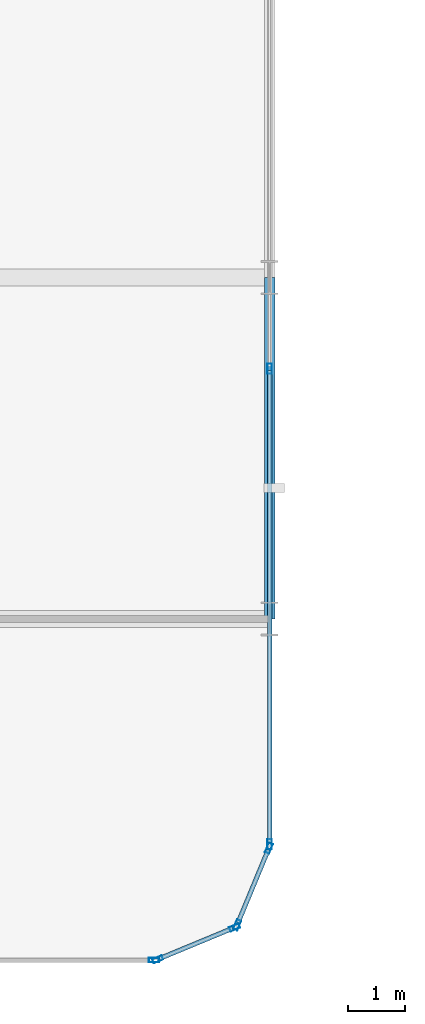
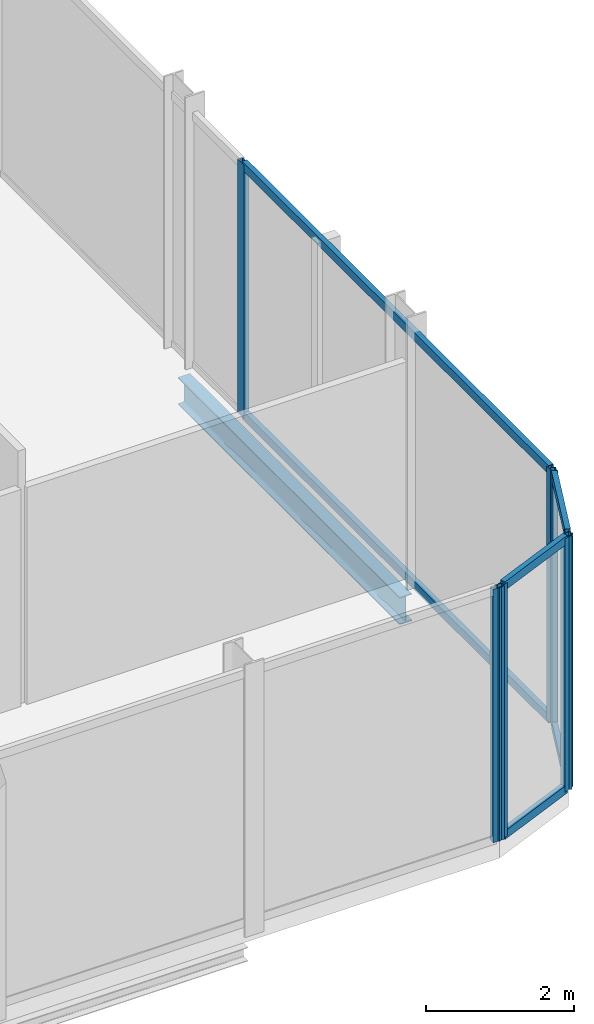
# One storey, part 10 of 31: 13 members, 1 beam, 4 elements without a shape of their own.
"""IFC4 building model written with IfcOpenShell, lengths in metres."""

from ifc_helpers import new_model, si_unit, direction, frame, origin, origin_2d, place, context, subcontext, project, spatial, hollow_rectangle, i_section, extrude, material, layer, layer_set, material_profile, profile_set, type_object, element, aggregate, save


model = new_model("IFC4")

# Units and contexts
model_context = context("Model", 3, precision=1e-05, world=origin(), true_north=direction((0.0, 1.0)))
body_context = subcontext(model_context, "Body", "Model", "MODEL_VIEW")
ifc_project = project(units=[si_unit("LENGTHUNIT", "METRE"), si_unit("AREAUNIT", "SQUARE_METRE"), si_unit("VOLUMEUNIT", "CUBIC_METRE"), si_unit("PLANEANGLEUNIT", "RADIAN"), si_unit("MASSUNIT", "GRAM", prefix="KILO")], contexts=[model_context])

# Site, building, storey
site_placement = place(None, origin())
site = spatial("IfcSite", under=ifc_project, at=site_placement, CompositionType="ELEMENT")
building_placement = place(site_placement, origin())
building = spatial("IfcBuilding", under=site, at=building_placement, Name="Keshet Zoharim Tower", CompositionType="ELEMENT")
storey_placement = place(building_placement, frame((0.0, 0.0, 125.300048828125)))
storey = spatial("IfcBuildingStorey", under=building, at=storey_placement, Name="L30", CompositionType="ELEMENT", Elevation=125.300048828125)

# Beam
ifc_material_1 = material(Name="Steel S355", Category="steel")
ifc_material_profile_1 = material_profile(ifc_material_1, i_section(OverallWidth=0.18994140625, OverallDepth=0.449951171875, WebThickness=0.009521484375, FlangeThickness=0.0146484375, FilletRadius=0.02099609375, at=origin_2d()), Name="IPE450")
ifc_profile_set_1 = profile_set([ifc_material_profile_1], Name="Steel S355")
beam_type = type_object("IfcBeamType", Name="BM-PRI-IP450", PredefinedType="BEAM", material=ifc_profile_set_1)
beam_placement = place(storey_placement, frame((57.0, 6.699951171875, -0.545166015625), z_axis=(0.0, 1.0, 0.0), x_axis=(-1.0, 0.0, 0.0)))
element("IfcBeam", 1, at=beam_placement, inside=storey, type_object=beam_type, Name="L30 Primary Girder Y-013", PredefinedType="BEAM", context=body_context, shape_type="SweptSolid", body=[
    extrude(i_section(OverallWidth=0.18994140625, OverallDepth=0.449951171875, WebThickness=0.009521484375, FlangeThickness=0.0146484375, FilletRadius=0.02099609375, at=origin_2d()), origin(), (0.0, 0.0, 1.0), 6.0),
])

# Curtain wall, members
ifc_material_2 = material(Name="Aluminium 6063-T6", Category="aluminium")
ifc_layer = layer(ifc_material_2, 0.14990234375)
ifc_layer_set = layer_set([ifc_layer], Name="Aluminium 6063-T6")
curtain_wall_type = type_object("IfcCurtainWallType", Name="CW-SYS-04", PredefinedType="NOTDEFINED", material=ifc_layer_set)
curtain_wall_1_placement = place(storey_placement, origin())
curtain_wall_1 = element("IfcCurtainWall", 2, at=curtain_wall_1_placement, inside=storey, type_object=curtain_wall_type, Name="L30 Unitised Curtain Wall 06", PredefinedType="NOTDEFINED")
ifc_material_profile_2 = material_profile(ifc_material_2, hollow_rectangle(XDim=0.080078125, YDim=0.179931640625, WallThickness=0.00439453125, at=origin_2d()), Name="MUL-80x180")
ifc_profile_set_2 = profile_set([ifc_material_profile_2], Name="Aluminium 6063-T6")
member_type_1 = type_object("IfcMemberType", Name="CWM-M18", PredefinedType="MULLION", material=ifc_profile_set_2)
member_1_placement = place(storey_placement, frame((57.0, 11.10009765625, 0.0), z_axis=(0.0, 0.0, 1.0), x_axis=(1.0, 0.0, 0.0)))
member_1 = element("IfcMember", 3, at=member_1_placement, type_object=member_type_1, Name="CW-04 mullion 3", PredefinedType="MULLION", context=body_context, shape_type="SweptSolid", body=[
    extrude(hollow_rectangle(XDim=0.080078125, YDim=0.179931640625, WallThickness=0.00439453125, at=origin_2d()), origin(), (0.0, 0.0, 1.0), 4.18505859375),
])
member_2_placement = place(storey_placement, frame((57.0, 2.735107421875, 0.0), z_axis=(0.0, 0.0, 1.0), x_axis=(1.0, 0.0, 0.0)))
member_2 = element("IfcMember", 4, at=member_2_placement, type_object=member_type_1, Name="CW-04 mullion 4", PredefinedType="MULLION", context=body_context, shape_type="SweptSolid", body=[
    extrude(hollow_rectangle(XDim=0.080078125, YDim=0.179931640625, WallThickness=0.00439453125, at=origin_2d()), origin(), (0.0, 0.0, 1.0), 4.18505859375),
])

curtain_wall_2_placement = place(storey_placement, origin())
curtain_wall_2 = element("IfcCurtainWall", 5, at=curtain_wall_2_placement, inside=storey, type_object=curtain_wall_type, Name="L30 Unitised Curtain Wall 07", PredefinedType="NOTDEFINED")
member_3_placement = place(storey_placement, frame((56.986572265625, 2.667724609375, 0.0), z_axis=(0.0, 0.0, 1.0), x_axis=(0.92380975372, -0.382851849847, 0.0)))
member_3 = element("IfcMember", 6, at=member_3_placement, type_object=member_type_1, Name="CW-04 mullion 1", PredefinedType="MULLION", context=body_context, shape_type="SweptSolid", body=[
    extrude(hollow_rectangle(XDim=0.080078125, YDim=0.179931640625, WallThickness=0.00439453125, at=origin_2d()), origin(), (0.0, 0.0, 1.0), 4.18505859375),
])
member_4_placement = place(storey_placement, frame((56.427490234375, 1.318359375, 0.0), z_axis=(0.0, 0.0, 1.0), x_axis=(0.92380975372, -0.382851849847, 0.0)))
member_4 = element("IfcMember", 7, at=member_4_placement, type_object=member_type_1, Name="CW-04 mullion 2", PredefinedType="MULLION", context=body_context, shape_type="SweptSolid", body=[
    extrude(hollow_rectangle(XDim=0.080078125, YDim=0.179931640625, WallThickness=0.00439453125, at=origin_2d()), origin(), (0.0, 0.0, 1.0), 4.18505859375),
])

curtain_wall_3_placement = place(storey_placement, origin())
curtain_wall_3 = element("IfcCurtainWall", 8, at=curtain_wall_3_placement, inside=storey, type_object=curtain_wall_type, Name="L30 Unitised Curtain Wall 08", PredefinedType="NOTDEFINED")
member_5_placement = place(storey_placement, frame((56.381591796875, 1.272705078125, 0.0), z_axis=(0.0, 0.0, 1.0), x_axis=(0.382851849847, -0.92380975372, 0.0)))
member_5 = element("IfcMember", 9, at=member_5_placement, type_object=member_type_1, Name="CW-04 mullion 1", PredefinedType="MULLION", context=body_context, shape_type="SweptSolid", body=[
    extrude(hollow_rectangle(XDim=0.080078125, YDim=0.179931640625, WallThickness=0.00439453125, at=origin_2d()), origin(), (0.0, 0.0, 1.0), 4.18505859375),
])
member_6_placement = place(storey_placement, frame((55.0322265625, 0.71337890625, 0.0), z_axis=(0.0, 0.0, 1.0), x_axis=(0.382851849847, -0.92380975372, 0.0)))
member_6 = element("IfcMember", 10, at=member_6_placement, type_object=member_type_1, Name="CW-04 mullion 2", PredefinedType="MULLION", context=body_context, shape_type="SweptSolid", body=[
    extrude(hollow_rectangle(XDim=0.080078125, YDim=0.179931640625, WallThickness=0.00439453125, at=origin_2d()), origin(), (0.0, 0.0, 1.0), 4.18505859375),
])

# Curtain wall, member
curtain_wall_4_placement = place(storey_placement, origin())
curtain_wall_4 = element("IfcCurtainWall", 11, at=curtain_wall_4_placement, inside=storey, type_object=curtain_wall_type, Name="L30 Unitised Curtain Wall 09", PredefinedType="NOTDEFINED")
member_7_placement = place(storey_placement, frame((54.965087890625, 0.699951171875, 0.0), z_axis=(0.0, 0.0, 1.0), x_axis=(0.0, -1.0, 0.0)))
member_7 = element("IfcMember", 12, at=member_7_placement, type_object=member_type_1, Name="CW-04 mullion 1", PredefinedType="MULLION", context=body_context, shape_type="SweptSolid", body=[
    extrude(hollow_rectangle(XDim=0.080078125, YDim=0.179931640625, WallThickness=0.00439453125, at=origin_2d()), origin(), (0.0, 0.0, 1.0), 4.18505859375),
])
aggregate(curtain_wall_4, [member_7])

# Member
ifc_material_profile_3 = material_profile(ifc_material_2, hollow_rectangle(XDim=0.080078125, YDim=0.139892578125, WallThickness=0.00390625, at=origin_2d()), Name="TRN-80x140")
ifc_profile_set_3 = profile_set([ifc_material_profile_3], Name="Aluminium 6063-T6")
member_type_2 = type_object("IfcMemberType", Name="CWT-T14", PredefinedType="USERDEFINED", material=ifc_profile_set_3)
member_8_placement = place(storey_placement, frame((57.0, 11.06494140625, 0.034912109375), z_axis=(0.0, -1.0, 0.0), x_axis=(1.0, 0.0, 0.0)))
member_8 = element("IfcMember", 13, at=member_8_placement, type_object=member_type_2, Name="CW-04 transom 3.1", ObjectType="TRANSOM", PredefinedType="USERDEFINED", context=body_context, shape_type="SweptSolid", body=[
    extrude(hollow_rectangle(XDim=0.080078125, YDim=0.139892578125, WallThickness=0.00390625, at=origin_2d()), origin(), (0.0, 0.0, 1.0), 8.294921875),
])

member_9_placement = place(storey_placement, frame((57.0, 11.06494140625, 4.14990234375), z_axis=(0.0, -1.0, 0.0), x_axis=(1.0, 0.0, 0.0)))
member_9 = element("IfcMember", 14, at=member_9_placement, type_object=member_type_2, Name="CW-04 transom 3.2", ObjectType="TRANSOM", PredefinedType="USERDEFINED", context=body_context, shape_type="SweptSolid", body=[
    extrude(hollow_rectangle(XDim=0.080078125, YDim=0.139892578125, WallThickness=0.00390625, at=origin_2d()), origin(), (0.0, 0.0, 1.0), 8.294921875),
])

aggregate(curtain_wall_1, [member_1, member_2, member_8, member_9])

member_10_placement = place(storey_placement, frame((56.97314453125, 2.63525390625, 0.034912109375), z_axis=(-0.382744609247, -0.923854189844, 0.0), x_axis=(0.923854189844, -0.382744609247, 0.0)))
member_10 = element("IfcMember", 15, at=member_10_placement, type_object=member_type_2, Name="CW-04 transom 1.1", ObjectType="TRANSOM", PredefinedType="USERDEFINED", context=body_context, shape_type="SweptSolid", body=[
    extrude(hollow_rectangle(XDim=0.080078125, YDim=0.139892578125, WallThickness=0.00390625, at=origin_2d()), origin(), (0.0, 0.0, 1.0), 1.390625),
])

member_11_placement = place(storey_placement, frame((56.97314453125, 2.63525390625, 4.14990234375), z_axis=(-0.382744609247, -0.923854189844, 0.0), x_axis=(0.923854189844, -0.382744609247, 0.0)))
member_11 = element("IfcMember", 16, at=member_11_placement, type_object=member_type_2, Name="CW-04 transom 1.2", ObjectType="TRANSOM", PredefinedType="USERDEFINED", context=body_context, shape_type="SweptSolid", body=[
    extrude(hollow_rectangle(XDim=0.080078125, YDim=0.139892578125, WallThickness=0.00390625, at=origin_2d()), origin(), (0.0, 0.0, 1.0), 1.390625),
])

aggregate(curtain_wall_2, [member_3, member_4, member_10, member_11])

member_12_placement = place(storey_placement, frame((56.349365234375, 1.25927734375, 0.034912109375), z_axis=(-0.92379209995, -0.382894445076, 0.0), x_axis=(0.382894445076, -0.92379209995, 0.0)))
member_12 = element("IfcMember", 17, at=member_12_placement, type_object=member_type_2, Name="CW-04 transom 1.1", ObjectType="TRANSOM", PredefinedType="USERDEFINED", context=body_context, shape_type="SweptSolid", body=[
    extrude(hollow_rectangle(XDim=0.080078125, YDim=0.139892578125, WallThickness=0.00390625, at=origin_2d()), origin(), (0.0, 0.0, 1.0), 1.390625),
])

member_13_placement = place(storey_placement, frame((56.349365234375, 1.25927734375, 4.14990234375), z_axis=(-0.92379209995, -0.382894445076, 0.0), x_axis=(0.382894445076, -0.92379209995, 0.0)))
member_13 = element("IfcMember", 18, at=member_13_placement, type_object=member_type_2, Name="CW-04 transom 1.2", ObjectType="TRANSOM", PredefinedType="USERDEFINED", context=body_context, shape_type="SweptSolid", body=[
    extrude(hollow_rectangle(XDim=0.080078125, YDim=0.139892578125, WallThickness=0.00390625, at=origin_2d()), origin(), (0.0, 0.0, 1.0), 1.390625),
])

aggregate(curtain_wall_3, [member_5, member_6, member_12, member_13])

save(model, "model.ifc")
